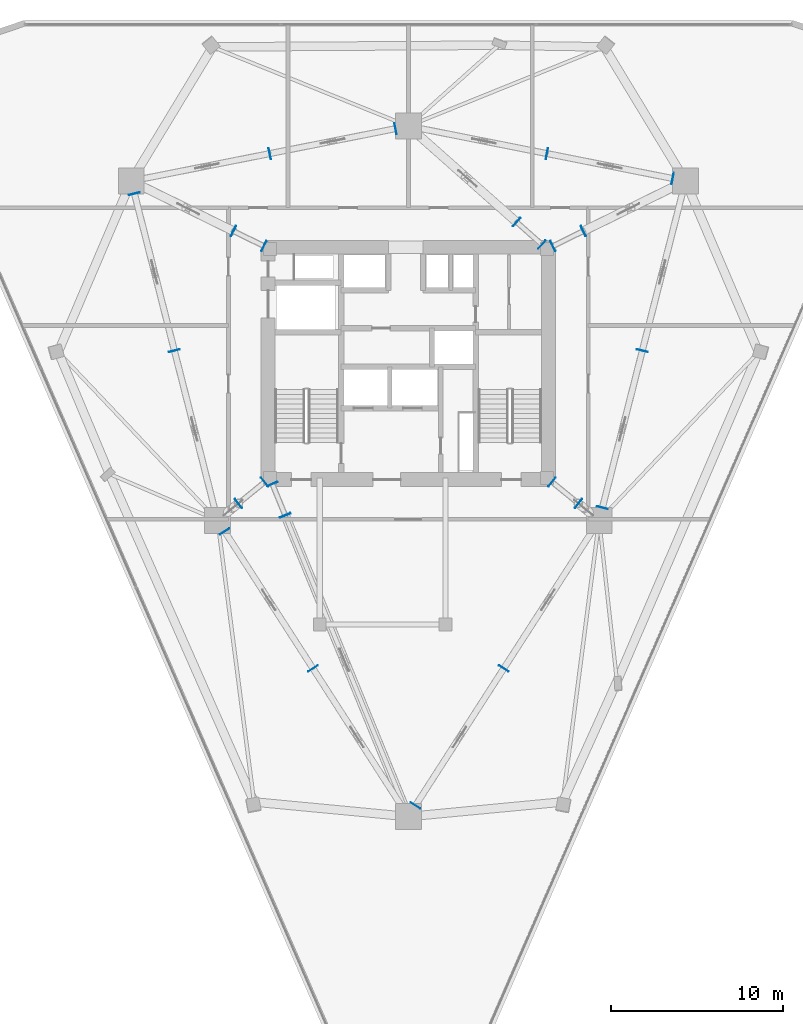
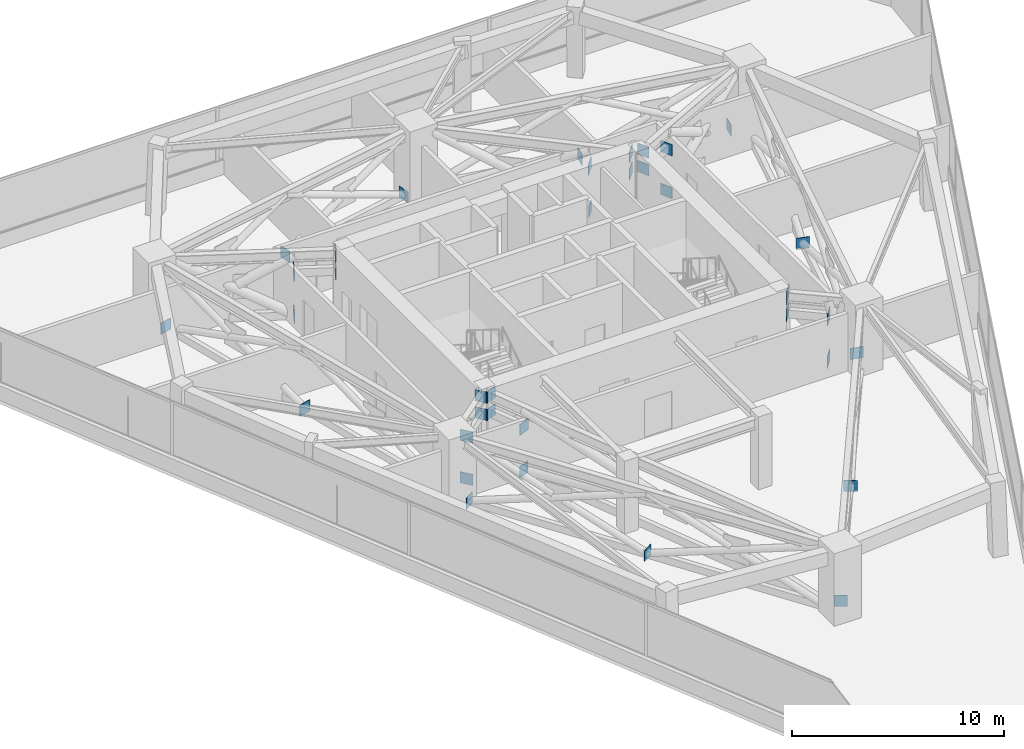
# One storey, part 10 of 13: 36 plates.
"""IFC4 building model written with IfcOpenShell, lengths in metres."""

import ifcopenshell
import ifcopenshell.guid

model = None  # the IFC model being written
_history = None  # IfcOwnerHistory: only IFC2X3 demands one
_inside = {}  # id of a spatial element -> (the spatial element, [elements in it])
_under = {}  # id of a project, library or spatial element -> (it, [spatial elements below it])
_declared = {}  # id of a project -> (the project, [libraries it declares])
_typed = {}  # id of a type object -> (the type object, [elements of that type])
_made_of = {}  # id of a material, layer set ... -> (it, [elements and type objects made of it])


def new_model(schema):
    """Start an empty IFC model of exactly this schema.

    Asked for "IFC4X3", IfcOpenShell would pick the latest addendum, in which some entities
    have other attributes; the version numbers below select the first issue.
    IFC2X3 requires an IfcOwnerHistory on every rooted entity: one is made here for all.
    """
    global model, _history
    if schema == "IFC4X3":
        model = ifcopenshell.file(schema_version=(4, 3, 0, 0))
    else:
        model = ifcopenshell.file(schema=schema)
    _inside.clear()
    _under.clear()
    _declared.clear()
    _typed.clear()
    _made_of.clear()
    _history = None
    if model.schema == "IFC2X3":
        org = make("IfcOrganization", Name="unknown")
        user = make(
            "IfcPersonAndOrganization",
            ThePerson=make("IfcPerson", FamilyName="unknown"),
            TheOrganization=org,
        )
        app = make(
            "IfcApplication",
            ApplicationDeveloper=org,
            Version="unknown",
            ApplicationFullName="unknown",
            ApplicationIdentifier="unknown",
        )
        _history = make(
            "IfcOwnerHistory",
            OwningUser=user,
            OwningApplication=app,
            ChangeAction="ADDED",
            CreationDate=0,
        )
    return model


def make(cls, **values):
    """One entity of the class cls with the attributes given. An attribute that is None is left unset."""
    return model.create_entity(
        cls, **{name: value for name, value in values.items() if value is not None}
    )


def rooted(cls, **values):
    """An entity with a GlobalId (a new one), such as an element, a storey or a relation."""
    return make(cls, GlobalId=ifcopenshell.guid.new(), OwnerHistory=_history, **values)


def si_unit(unit_type, name, prefix=None):
    """IfcSIUnit, for example si_unit("LENGTHUNIT", "METRE", prefix="MILLI")."""
    return make("IfcSIUnit", UnitType=unit_type, Prefix=prefix, Name=name)


def assignment(units):
    """IfcUnitAssignment: the units of a project."""
    return None if units is None else make("IfcUnitAssignment", Units=units)


def point(xyz):
    """IfcCartesianPoint."""
    return None if xyz is None else make("IfcCartesianPoint", Coordinates=xyz)


def direction(xyz):
    """IfcDirection."""
    return None if xyz is None else make("IfcDirection", DirectionRatios=xyz)


def frame(location, z_axis=None, x_axis=None):
    """IfcAxis2Placement3D, a coordinate frame: its origin and axes. An axis left out is left unset."""
    return make(
        "IfcAxis2Placement3D",
        Location=point(location),
        Axis=direction(z_axis),
        RefDirection=direction(x_axis),
    )


def frame_2d(location, x_axis=None):
    """IfcAxis2Placement2D, a coordinate frame in the plane: its origin and x axis."""
    return make(
        "IfcAxis2Placement2D", Location=point(location), RefDirection=direction(x_axis)
    )


def origin():
    """The frame at (0, 0, 0) with its axes left unset."""
    return frame((0.0, 0.0, 0.0))


def origin_2d():
    """The frame at (0, 0) in the plane with its x axis left unset."""
    return frame_2d((0.0, 0.0))


def place(relative_to, where):
    """IfcLocalPlacement: puts the frame where relative to a parent placement (None: the world)."""
    return make(
        "IfcLocalPlacement", PlacementRelTo=relative_to, RelativePlacement=where
    )


def context(
    kind, dimensions, precision=None, world=None, true_north=None, identifier=None
):
    """IfcGeometricRepresentationContext, for example the 3D "Model" context."""
    return make(
        "IfcGeometricRepresentationContext",
        ContextIdentifier=identifier,
        ContextType=kind,
        CoordinateSpaceDimension=dimensions,
        Precision=precision,
        WorldCoordinateSystem=world,
        TrueNorth=true_north,
    )


def subcontext(parent, identifier, kind, view, scale=None):
    """IfcGeometricRepresentationSubContext, for example "Body" below "Model"."""
    return make(
        "IfcGeometricRepresentationSubContext",
        ContextIdentifier=identifier,
        ContextType=kind,
        ParentContext=parent,
        TargetScale=scale,
        TargetView=view,
    )


def project(units=None, contexts=None):
    """IfcProject with its units and contexts."""
    return rooted(
        "IfcProject",
        Name="project",
        RepresentationContexts=contexts,
        UnitsInContext=assignment(units),
    )


def spatial(cls, under=None, at=None, **own):
    """A site, building, storey or space (cls), placed at a placement, below another one or the project."""
    s = rooted(cls, ObjectPlacement=at, **own)
    if under is not None:
        _under.setdefault(under.id(), (under, []))[1].append(s)
    return s


def profile(cls, at=None, kind="AREA", **sizes):
    """A parametric profile (cls). Its sizes go by their IFC names, for example OverallWidth=200.0."""
    return make(cls, ProfileType=kind, Position=at, **sizes)


def rectangle(**sizes):
    """IfcRectangleProfileDef."""
    return profile("IfcRectangleProfileDef", **sizes)


def extrude(swept, where, along, depth):
    """IfcExtrudedAreaSolid: the profile swept, set in the frame where, extruded along a direction by depth."""
    return make(
        "IfcExtrudedAreaSolid",
        SweptArea=swept,
        Position=where,
        ExtrudedDirection=direction(along),
        Depth=depth,
    )


def shape(context_of_items, identifier, shape_type, items):
    """IfcShapeRepresentation: the items that make up one representation, for example the "Body"."""
    return make(
        "IfcShapeRepresentation",
        ContextOfItems=context_of_items,
        RepresentationIdentifier=identifier,
        RepresentationType=shape_type,
        Items=items,
    )


def material(Name=None, Category=None):
    """IfcMaterial."""
    return make("IfcMaterial", Name=Name, Category=Category)


def layer(
    of_material, thickness, ventilated=None, Name=None, Category=None, Priority=None
):
    """IfcMaterialLayer: one layer of a wall or slab, of a material (None: an air gap)."""
    return make(
        "IfcMaterialLayer",
        Material=of_material,
        LayerThickness=thickness,
        IsVentilated=ventilated,
        Name=Name,
        Category=Category,
        Priority=Priority,
    )


def layer_set(layers, Name=None):
    """IfcMaterialLayerSet."""
    return make("IfcMaterialLayerSet", MaterialLayers=layers, LayerSetName=Name)


def made_of(thing, what):
    """Note that an element or type object is made of a material, layer set ...; save() writes the relation."""
    if what is not None:
        _made_of.setdefault(what.id(), (what, []))[1].append(thing)
    return thing


def type_object(cls, material=None, **own):
    """A type object (cls), such as IfcWallType, which elements share."""
    return made_of(rooted(cls, **own), material)


def element(
    cls,
    number,
    at=None,
    inside=None,
    cuts=None,
    type_object=None,
    material=None,
    context=None,
    identifier="Body",
    shape_type=None,
    held_by="IfcProductDefinitionShape",
    body=None,
    shapes=None,
    **own,
):
    """One element of the class cls, such as IfcWall. Its Tag is "e" and its number.

    at: its placement. inside: the storey or other place that contains it. cuts: it is an
    opening in that element (IfcRelVoidsElement). A single representation is given by context,
    identifier, shape_type and body (its items); several are given by shapes. held_by: the class
    of the entity that holds the representations. save() writes the other relations.
    """
    e = rooted(cls, Tag="e%d" % number, ObjectPlacement=at, **own)
    if body is not None:
        shapes = [shape(context, identifier, shape_type, body)]
    if shapes is not None:
        e.Representation = make(held_by, Representations=shapes)
    if inside is not None:
        _inside.setdefault(inside.id(), (inside, []))[1].append(e)
    if cuts is not None:
        rooted(
            "IfcRelVoidsElement", RelatingBuildingElement=cuts, RelatedOpeningElement=e
        )
    if type_object is not None:
        _typed.setdefault(type_object.id(), (type_object, []))[1].append(e)
    return made_of(e, material)


def aggregate(whole, parts):
    """IfcRelAggregates: a whole, such as a stair, and the parts it consists of."""
    return rooted("IfcRelAggregates", RelatingObject=whole, RelatedObjects=parts)


def save(model, path):
    """Write the relations noted so far, then the file.

    IfcRelAggregates (storeys below a building ...), IfcRelContainedInSpatialStructure (elements
    in a storey), IfcRelDefinesByType, IfcRelAssociatesMaterial and IfcRelDeclares: one each for
    every whole, place, type object, material and project.
    """
    for whole, parts in _under.values():
        aggregate(whole, parts)
    for where, things in _inside.values():
        rooted(
            "IfcRelContainedInSpatialStructure",
            RelatedElements=things,
            RelatingStructure=where,
        )
    for kind, things in _typed.values():
        rooted("IfcRelDefinesByType", RelatedObjects=things, RelatingType=kind)
    for what, things in _made_of.values():
        rooted("IfcRelAssociatesMaterial", RelatedObjects=things, RelatingMaterial=what)
    for by, libraries in _declared.values():
        rooted("IfcRelDeclares", RelatingContext=by, RelatedDefinitions=libraries)
    model.write(path)


model = new_model("IFC4")

# Units and contexts
model_context = context("Model", 3, precision=1e-05, world=origin(), true_north=direction((0.0, 1.0)))
body_context = subcontext(model_context, "Body", "Model", "MODEL_VIEW")
ifc_project = project(units=[si_unit("LENGTHUNIT", "METRE"), si_unit("AREAUNIT", "SQUARE_METRE"), si_unit("VOLUMEUNIT", "CUBIC_METRE"), si_unit("PLANEANGLEUNIT", "RADIAN"), si_unit("MASSUNIT", "GRAM", prefix="KILO")], contexts=[model_context])

# Site, building, storey
site_placement = place(None, origin())
site = spatial("IfcSite", under=ifc_project, at=site_placement, CompositionType="ELEMENT")
building_placement = place(site_placement, origin())
building = spatial("IfcBuilding", under=site, at=building_placement, Name="Talyreon Biosciences Tower", CompositionType="ELEMENT")
storey_placement = place(building_placement, frame((0.0, 0.0, 175.199951171875)))
storey = spatial("IfcBuildingStorey", under=building, at=storey_placement, Name="L46", CompositionType="ELEMENT", Elevation=175.199951171875)

# Plates
ifc_material = material(Name="Steel SM355", Category="steel")
ifc_layer = layer(ifc_material, 0.028076171875)
ifc_layer_set = layer_set([ifc_layer], Name="Steel SM355")
plate_type = type_object("IfcPlateType", Name="HollowEndCapPlate_28", PredefinedType="SHEET", material=ifc_layer_set)
for number, where, z_axis, x_axis, name in (
    (1, (58.095703125, 60.99365234375, 3.375), (0.0, 0.0, 1.0), (0.925580150933, 0.378551692902, 0.0), "Truss node plate NP-L46-OC-1"),
    (2, (58.095703125, 60.99365234375, 2.375), (0.0, 0.0, 1.0), (0.925580150933, 0.378551692902, 0.0), "Truss node plate NP-L46-OCM0-1"),
    (3, (58.844970703125, 59.161865234375, 2.375), (0.0, 0.0, 1.0), (0.925580150933, 0.378551692902, 0.0), "Truss node plate NP-L46-OCM1-1"),
    (4, (58.839599609375, 59.1748046875, -0.0849609375), (0.0, 0.0, 1.0), (0.925586757766, 0.378535538423, 0.0), "Truss node plate NP-OUT-L46-R1-E"),
    (5, (74.3486328125, 61.107177734375, 3.375), (0.0, 0.0, 1.0), (0.631000821652, 0.775782162127, 0.0), "Truss node plate NP-L46-OC-2"),
    (6, (74.3486328125, 61.107177734375, 2.375), (0.0, 0.0, 1.0), (0.631000821652, 0.775782162127, 0.0), "Truss node plate NP-L46-OCM0-2"),
    (7, (75.884033203125, 59.8583984375, 2.375), (0.0, 0.0, 1.0), (0.631000821652, 0.775782162127, 0.0), "Truss node plate NP-L46-OCM1-2"),
    (8, (75.873046875, 59.8671875, -0.0849609375), (0.0, 0.0, 1.0), (0.630973741361, 0.775804187739, 0.0), "Truss node plate NP-OUT-L46-R2-E"),
    (9, (74.395751953125, 74.819580078125, 3.375), (0.0, 0.0, 1.0), (-0.440283955252, 0.89785858505, 0.0), "Truss node plate NP-L46-OC-3"),
    (10, (74.395751953125, 74.819580078125, 2.375), (0.0, 0.0, 1.0), (-0.440283955252, 0.89785858505, 0.0), "Truss node plate NP-L46-OCM0-3"),
    (11, (76.172607421875, 75.69091796875, 2.375), (0.0, 0.0, 1.0), (-0.440283955252, 0.89785858505, 0.0), "Truss node plate NP-L46-OCM1-3"),
    (12, (76.159912109375, 75.684814453125, -0.0849609375), (0.0, 0.0, 1.0), (-0.440283955252, 0.89785858505, 0.0), "Truss node plate NP-OUT-L46-R3-E"),
    (13, (73.761962890625, 74.905517578125, 3.375), (0.0, 0.0, 1.0), (-0.663495401773, -0.748180360492, 0.0), "Truss node plate NP-L46-OC-4"),
    (14, (73.761962890625, 74.905517578125, 2.375), (0.0, 0.0, 1.0), (-0.663495401773, -0.748180360492, 0.0), "Truss node plate NP-L46-OCM0-4"),
    (15, (72.28125, 76.218505859375, 2.375), (0.0, 0.0, 1.0), (-0.663495401773, -0.748180360492, 0.0), "Truss node plate NP-L46-OCM1-4"),
    (16, (72.291748046875, 76.209228515625, -0.0849609375), (0.0, 0.0, 1.0), (-0.663495401773, -0.748180360492, 0.0), "Truss node plate NP-OUT-L46-R4-E"),
    (17, (57.604248046875, 74.819580078125, 3.375), (0.0, 0.0, 1.0), (-0.440283955252, -0.89785858505, 0.0), "Truss node plate NP-L46-OC-5"),
    (18, (57.604248046875, 74.819580078125, 2.375), (0.0, 0.0, 1.0), (-0.440283955252, -0.89785858505, 0.0), "Truss node plate NP-L46-OCM0-5"),
    (19, (55.827392578125, 75.69091796875, 2.375), (0.0, 0.0, 1.0), (-0.440283955252, -0.89785858505, 0.0), "Truss node plate NP-L46-OCM1-5"),
    (20, (55.840087890625, 75.684814453125, -0.0849609375), (0.0, 0.0, 1.0), (-0.440283955252, -0.89785858505, 0.0), "Truss node plate NP-OUT-L46-R5-E"),
    (21, (57.6513671875, 61.107177734375, 3.375), (0.0, 0.0, 1.0), (0.631000821652, -0.775782162127, 0.0), "Truss node plate NP-L46-OC-6"),
    (22, (57.6513671875, 61.107177734375, 2.375), (0.0, 0.0, 1.0), (0.631000821652, -0.775782162127, 0.0), "Truss node plate NP-L46-OCM0-6"),
    (23, (56.115966796875, 59.8583984375, 2.375), (0.0, 0.0, 1.0), (0.631000821652, -0.775782162127, 0.0), "Truss node plate NP-L46-OCM1-6"),
    (24, (56.126953125, 59.8671875, -0.0849609375), (0.0, 0.0, 1.0), (0.630973741361, -0.775804187739, 0.0), "Truss node plate NP-OUT-L46-R6-E"),
    (25, (66.41162109375, 42.305908203125, -0.0849609375), (0.0, 0.0, 1.0), (-0.840727294555, 0.54145878531, 0.0), "Truss node plate NP-BELT-L46-B1S1-E"),
    (26, (71.543212890625, 50.273681640625, -0.0849609375), (0.0, 0.0, 1.0), (-0.840717844189, 0.541473458687, 0.0), "Truss node plate NP-BELT-L46-B1S2-E"),
    (27, (77.273681640625, 59.616943359375, -0.0849609375), (0.0, 0.0, 1.0), (-0.969132019352, 0.246542347409, 0.0), "Truss node plate NP-BELT-L46-B2S1-E"),
    (28, (79.59423828125, 68.739501953125, -0.0849609375), (0.0, 0.0, 1.0), (-0.969132019352, 0.246542347409, 0.0), "Truss node plate NP-BELT-L46-B2S2-E"),
    (29, (81.35693359375, 78.746337890625, -0.0849609375), (0.0, 0.0, 1.0), (-0.194337075538, -0.980934809797, 0.0), "Truss node plate NP-BELT-L46-B3S1-E"),
    (30, (74.05126953125, 80.19384765625, -0.0849609375), (0.0, 0.0, 1.0), (-0.194337075538, -0.980934809797, 0.0), "Truss node plate NP-BELT-L46-B3S2-E"),
    (31, (65.25439453125, 81.64111328125, -0.0849609375), (0.0, 0.0, 1.0), (0.194337075538, -0.980934809797, 0.0), "Truss node plate NP-BELT-L46-B4S1-E"),
    (32, (57.94873046875, 80.19384765625, -0.0849609375), (0.0, 0.0, 1.0), (0.194337075538, -0.980934809797, 0.0), "Truss node plate NP-BELT-L46-B4S2-E"),
    (33, (50.0849609375, 77.8623046875, -0.0849609375), (0.0, 0.0, 1.0), (0.969132019352, 0.246542347409, 0.0), "Truss node plate NP-BELT-L46-B5S1-E"),
    (34, (52.40576171875, 68.739501953125, -0.0849609375), (0.0, 0.0, 1.0), (0.969132019352, 0.246542347409, 0.0), "Truss node plate NP-BELT-L46-B5S2-E"),
    (35, (55.3251953125, 58.241455078125, -0.0849609375), (0.0, 0.0, 1.0), (0.840717844189, 0.541473458687, 0.0), "Truss node plate NP-BELT-L46-B6S1-E"),
    (36, (60.456787109375, 50.273681640625, -0.0849609375), (0.0, 0.0, 1.0), (0.840727294555, 0.54145878531, 0.0), "Truss node plate NP-BELT-L46-B6S2-E"),
):
    element("IfcPlate", number, at=place(storey_placement, frame(where, z_axis=z_axis, x_axis=x_axis)), inside=storey, type_object=plate_type, Name=name, PredefinedType="SHEET", context=body_context, shape_type="SweptSolid", body=[
        extrude(rectangle(XDim=0.64990234375, YDim=0.028076171875, at=origin_2d()), origin(), (0.0, 0.0, 1.0), 0.64990234375),
    ])

save(model, "model.ifc")
